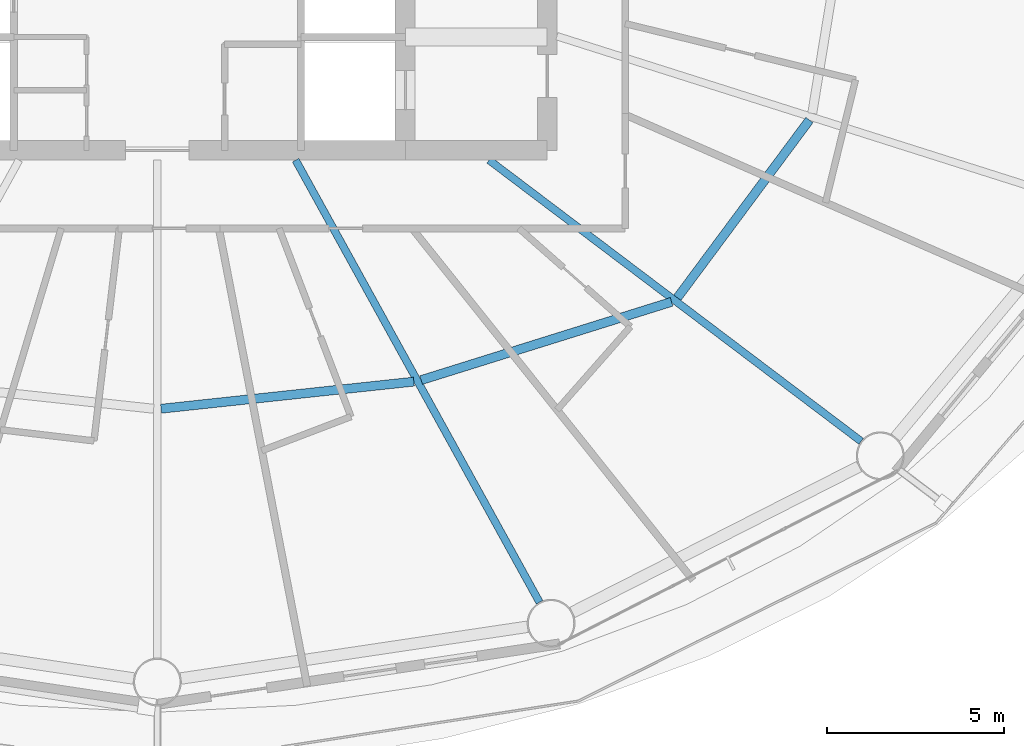
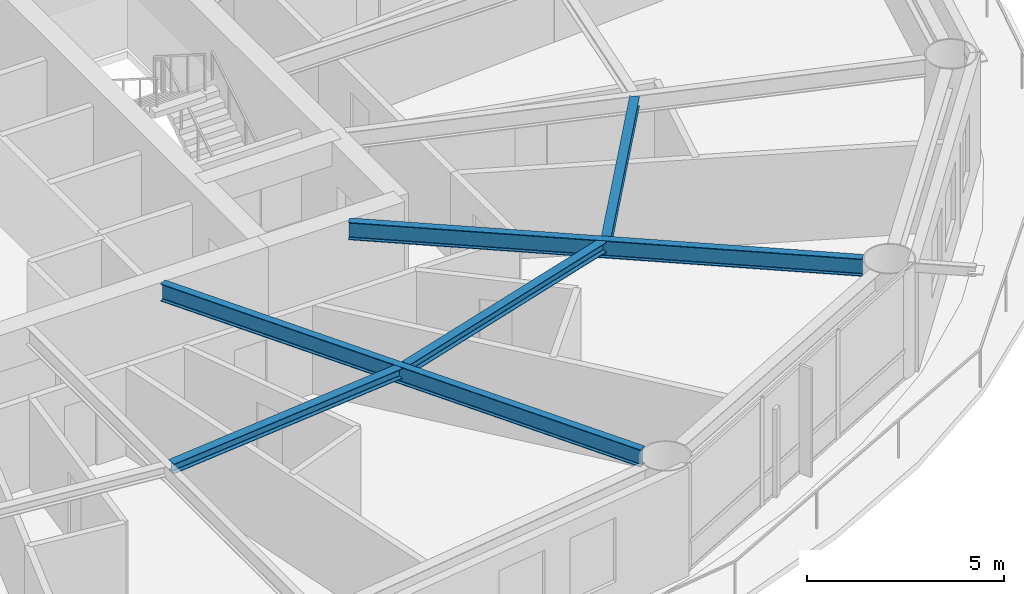
# One storey, part 5 of 24: 5 beams.
"""IFC4 building model written with IfcOpenShell, lengths in metres."""

from ifc_helpers import new_model, si_unit, direction, frame, origin, origin_2d, place, context, subcontext, project, spatial, i_section, extrude, material, material_profile, profile_set, type_object, element, save


model = new_model("IFC4")

# Units and contexts
model_context = context("Model", 3, precision=1e-05, world=origin(), true_north=direction((0.0, 1.0)))
body_context = subcontext(model_context, "Body", "Model", "MODEL_VIEW")
ifc_project = project(units=[si_unit("LENGTHUNIT", "METRE"), si_unit("AREAUNIT", "SQUARE_METRE"), si_unit("VOLUMEUNIT", "CUBIC_METRE"), si_unit("PLANEANGLEUNIT", "RADIAN"), si_unit("MASSUNIT", "GRAM", prefix="KILO")], contexts=[model_context])

# Site, building, storey
site_placement = place(None, origin())
site = spatial("IfcSite", under=ifc_project, at=site_placement, CompositionType="ELEMENT")
building_placement = place(site_placement, origin())
building = spatial("IfcBuilding", under=site, at=building_placement, Name="Sarneth Arch Tower", CompositionType="ELEMENT")
storey_placement = place(building_placement, frame((0.0, 0.0, 87.60009765625)))
storey = spatial("IfcBuildingStorey", under=building, at=storey_placement, Name="L21", CompositionType="ELEMENT", Elevation=87.60009765625)

# Beams
ifc_material_1 = material(Name="Steel S355", Category="steel")
ifc_material_profile_1 = material_profile(ifc_material_1, i_section(OverallWidth=0.25390625, OverallDepth=0.305908203125, WebThickness=0.0087890625, FlangeThickness=0.0146484375, FilletRadius=0.014892578125, at=origin_2d()), Name="W310x79")
ifc_profile_set_1 = profile_set([ifc_material_profile_1], Name="Steel S355")
beam_type_1 = type_object("IfcBeamType", Name="BM-JOIST-310A", PredefinedType="JOIST", material=ifc_profile_set_1)
beam_1_placement = place(storey_placement, frame((48.10498046875, 27.9111328125, 3.226806640625), z_axis=(0.99429330851, 0.106680910441, 0.0), x_axis=(-0.106680910441, 0.99429330851, 0.0)))
element("IfcBeam", 1, at=beam_1_placement, inside=storey, type_object=beam_type_1, Name="L21 Secondary floor joist 13", PredefinedType="JOIST", context=body_context, shape_type="SweptSolid", body=[
    extrude(i_section(OverallWidth=0.25390625, OverallDepth=0.305908203125, WebThickness=0.0087890625, FlangeThickness=0.0146484375, FilletRadius=0.014892578125, at=origin_2d()), origin(), (0.0, 0.0, 1.0), 7.174560546875),
])
beam_2_placement = place(storey_placement, frame((55.4443359375, 28.71923828125, 3.226806640625), z_axis=(0.9544870201, 0.298252457594, 0.0), x_axis=(-0.298252457594, 0.9544870201, 0.0)))
element("IfcBeam", 2, at=beam_2_placement, inside=storey, type_object=beam_type_1, Name="L21 Secondary floor joist 14", PredefinedType="JOIST", context=body_context, shape_type="SweptSolid", body=[
    extrude(i_section(OverallWidth=0.25390625, OverallDepth=0.305908203125, WebThickness=0.0087890625, FlangeThickness=0.0146484375, FilletRadius=0.014892578125, at=origin_2d()), origin(), (0.0, 0.0, 1.0), 7.40234375),
])
beam_3_placement = place(storey_placement, frame((62.67333984375, 31.043212890625, 3.226806640625), z_axis=(0.596354224217, 0.80272139579, 0.0), x_axis=(-0.80272139579, 0.596354224217, 0.0)))
element("IfcBeam", 3, at=beam_3_placement, inside=storey, type_object=beam_type_1, Name="L21 Secondary floor joist 15", PredefinedType="JOIST", context=body_context, shape_type="SweptSolid", body=[
    extrude(i_section(OverallWidth=0.25390625, OverallDepth=0.305908203125, WebThickness=0.0087890625, FlangeThickness=0.0146484375, FilletRadius=0.014892578125, at=origin_2d()), origin(), (0.0, 0.0, 1.0), 6.246337890625),
])
ifc_material_2 = material(Name="Steel S355", Category="steel")
ifc_material_profile_2 = material_profile(ifc_material_2, i_section(OverallWidth=0.2109375, OverallDepth=0.5390625, WebThickness=0.01171875, FlangeThickness=0.018798828125, FilletRadius=0.01806640625, at=origin_2d()), Name="W530x109")
ifc_profile_set_2 = profile_set([ifc_material_profile_2], Name="Steel S355")
beam_type_2 = type_object("IfcBeamType", Name="BM-RAD-530B", PredefinedType="BEAM", material=ifc_profile_set_2)
beam_4_placement = place(storey_placement, frame((51.90283203125, 34.925048828125, 3.1103515625), z_axis=(0.48301301286, -0.875613173387, 0.0), x_axis=(0.875613173387, 0.48301301286, 0.0)))
element("IfcBeam", 4, at=beam_4_placement, inside=storey, type_object=beam_type_2, Name="L21 Radial floor girder 14", PredefinedType="BEAM", context=body_context, shape_type="SweptSolid", body=[
    extrude(i_section(OverallWidth=0.2109375, OverallDepth=0.5390625, WebThickness=0.01171875, FlangeThickness=0.018798828125, FilletRadius=0.01806640625, at=origin_2d()), origin(), (0.0, 0.0, 1.0), 14.246826171875),
])
beam_5_placement = place(storey_placement, frame((57.36181640625, 34.925048828125, 3.1103515625), z_axis=(0.797801476102, -0.602920230818, 0.0), x_axis=(0.602920230818, 0.797801476102, 0.0)))
element("IfcBeam", 5, at=beam_5_placement, inside=storey, type_object=beam_type_2, Name="L21 Radial floor girder 15", PredefinedType="BEAM", context=body_context, shape_type="SweptSolid", body=[
    extrude(i_section(OverallWidth=0.2109375, OverallDepth=0.5390625, WebThickness=0.01171875, FlangeThickness=0.018798828125, FilletRadius=0.01806640625, at=origin_2d()), origin(), (0.0, 0.0, 1.0), 13.15771484375),
])

save(model, "model.ifc")
